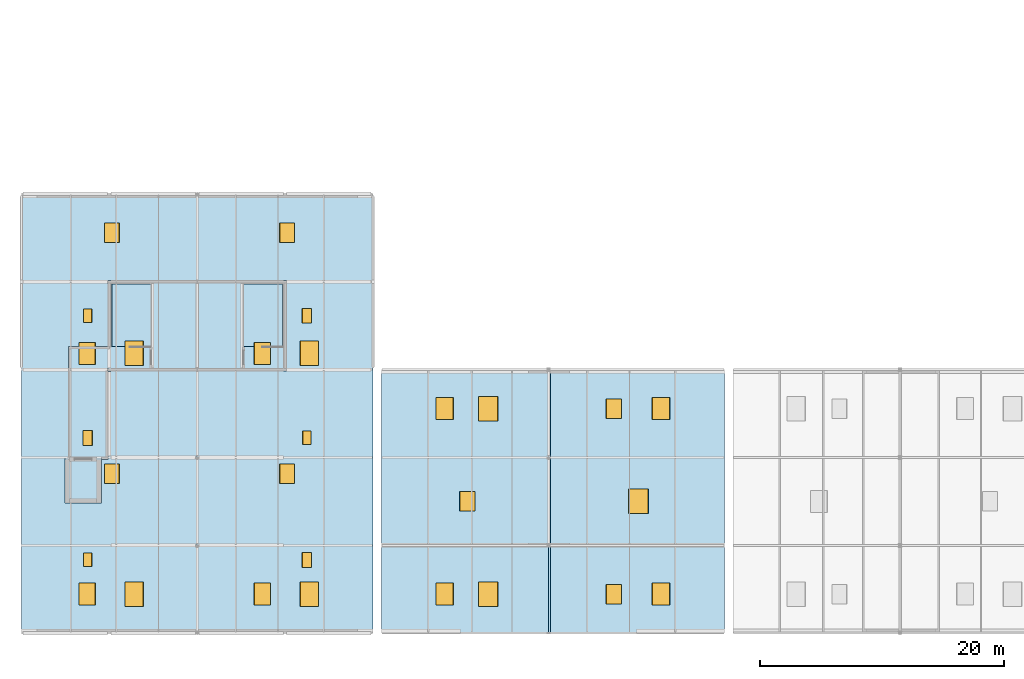
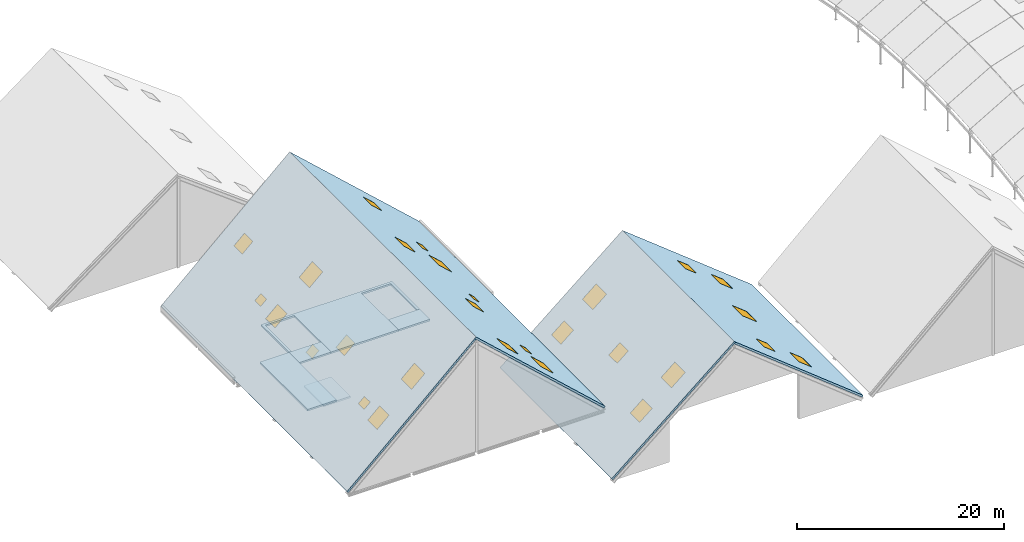
# One storey, part 20 of 35: 22 windows, 9 slabs, 6 doors, 28 openings.
"""IFC4 building model written with IfcOpenShell, lengths in metres."""

from ifc_helpers import new_model, si_unit, direction, frame, origin, origin_2d, place, context, subcontext, project, spatial, polyline, rectangle, outline, extrude, material, layer, layer_set, type_object, element, fill, save


model = new_model("IFC4")

# Units and contexts
model_context = context("Model", 3, precision=1e-05, world=origin(), true_north=direction((0.0, 1.0)))
body_context = subcontext(model_context, "Body", "Model", "MODEL_VIEW")
ifc_project = project(units=[si_unit("LENGTHUNIT", "METRE"), si_unit("AREAUNIT", "SQUARE_METRE"), si_unit("VOLUMEUNIT", "CUBIC_METRE"), si_unit("PLANEANGLEUNIT", "RADIAN"), si_unit("MASSUNIT", "GRAM", prefix="KILO")], contexts=[model_context])

# Site, building, storey
site_placement = place(None, origin())
site = spatial("IfcSite", under=ifc_project, at=site_placement, CompositionType="ELEMENT")
building_placement = place(site_placement, origin())
building = spatial("IfcBuilding", under=site, at=building_placement, Name="Zarrinpeak Specialist Clinic", CompositionType="ELEMENT")
storey_placement = place(building_placement, frame((0.0, 0.0, 31.60009765625)))
storey = spatial("IfcBuildingStorey", under=building, at=storey_placement, Name="RF", CompositionType="ELEMENT", Elevation=31.60009765625)

# Slabs
ifc_material_1 = material(Name="Concrete C35/45", Category="concrete")
ifc_layer_1 = layer(ifc_material_1, 0.199951171875)
ifc_layer_set_1 = layer_set([ifc_layer_1], Name="Concrete C35/45")
slab_type_1 = type_object("IfcSlabType", Name="SL-FLR200", PredefinedType="FLOOR", material=ifc_layer_set_1)
slab_1_placement = place(storey_placement, frame((0.0, 0.0, -0.2001953125)))
element("IfcSlab", 1, at=slab_1_placement, inside=storey, type_object=slab_type_1, Name="RF Attic Stair ST-13 Arrival Landing Floor Slab", PredefinedType="FLOOR", context=body_context, shape_type="SweptSolid", body=[
    extrude(outline(polyline([(7.10009765625, 21.5), (10.64990234375, 21.5), (10.64990234375, 23.5), (7.10009765625, 23.5), (7.10009765625, 21.5)])), origin(), (0.0, 0.0, 1.0), 0.2001953125),
])
slab_2_placement = place(storey_placement, frame((0.0, 0.0, -0.2001953125)))
element("IfcSlab", 2, at=slab_2_placement, inside=storey, type_object=slab_type_1, Name="RF Attic Stair ST-14 Arrival Landing Floor Slab", PredefinedType="FLOOR", context=body_context, shape_type="SweptSolid", body=[
    extrude(outline(polyline([(18.14990234375, 21.5), (21.699951171875, 21.5), (21.699951171875, 23.5), (18.14990234375, 23.5), (18.14990234375, 21.5)])), origin(), (0.0, 0.0, 1.0), 0.2001953125),
])
slab_3_placement = place(storey_placement, frame((0.0, 0.0, -0.2001953125)))
element("IfcSlab", 3, at=slab_3_placement, inside=storey, type_object=slab_type_1, Name="RF Firefighting Lift LF-FF1 Vestibule Floor Slab", PredefinedType="FLOOR", context=body_context, shape_type="SweptSolid", body=[
    extrude(outline(polyline([(3.85009765625, 14.25), (7.10009765625, 14.25), (7.10009765625, 23.5), (3.85009765625, 23.5), (3.85009765625, 14.25)])), origin(), (0.0, 0.0, 1.0), 0.2001953125),
])
slab_4_placement = place(storey_placement, frame((0.0, 0.0, -0.2001953125)))
element("IfcSlab", 4, at=slab_4_placement, inside=storey, type_object=slab_type_1, Name="RF V1 Enclosed Attic Maintenance Catwalk Floor Slab", PredefinedType="FLOOR", context=body_context, shape_type="SweptSolid", body=[
    extrude(outline(polyline([(10.64990234375, 21.5), (18.14990234375, 21.5), (18.14990234375, 28.60009765625), (21.39990234375, 28.60009765625), (21.39990234375, 23.5), (21.699951171875, 23.5), (21.699951171875, 28.89990234375), (7.10009765625, 28.89990234375), (7.10009765625, 23.5), (7.39990234375, 23.5), (7.39990234375, 28.60009765625), (10.64990234375, 28.60009765625), (10.64990234375, 21.5)])), origin(), (0.0, 0.0, 1.0), 0.2001953125),
])
slab_5_placement = place(storey_placement, frame((0.0, 0.0, 2.599853515625)))
element("IfcSlab", 5, at=slab_5_placement, inside=storey, type_object=slab_type_1, Name="RF Lift LF-FF1 Overrun Cap Slab", PredefinedType="FLOOR", context=body_context, shape_type="SweptSolid", body=[
    extrude(outline(polyline([(3.550048828125, 10.64990234375), (6.550048828125, 10.64990234375), (6.550048828125, 14.449951171875), (3.550048828125, 14.449951171875), (3.550048828125, 10.64990234375)])), origin(), (0.0, 0.0, 1.0), 0.199951171875),
])

# Slab, openings, doors, windows
ifc_layer_2 = layer(ifc_material_1, 0.219970703125)
ifc_layer_set_2 = layer_set([ifc_layer_2], Name="Concrete C35/45")
slab_type_2 = type_object("IfcSlabType", Name="SL-ROOF220", PredefinedType="ROOF", material=ifc_layer_set_2)
slab_6_placement = place(storey_placement, frame((0.0, 0.0, 0.29833984375), z_axis=(-0.675725760405, 0.0, 0.737153102636), x_axis=(0.737153102636, 0.0, 0.675725760405)))
slab_6 = element("IfcSlab", 6, at=slab_6_placement, inside=storey, type_object=slab_type_2, Name="V1 West Pitched Gable Roof Slab", PredefinedType="ROOF", context=body_context, shape_type="SweptSolid", body=[
    extrude(outline(polyline([(0.0, 0.0), (19.534479733267048, 0.0), (19.534479733267048, 36.0), (0.0, 36.0), (0.0, 0.0)])), origin(), (0.0, 0.0, -1.0), 0.219970703125),
])
opening_1_placement = place(slab_6_placement, frame((7.271240234375, 3.199951171875, 0.0)))
opening_1 = element("IfcOpeningElement", 7, at=opening_1_placement, cuts=slab_6, Name="Opening SK-03", PredefinedType="OPENING", context=body_context, shape_type="SweptSolid", body=[
    extrude(rectangle(XDim=1.800048828125, YDim=1.800048828125, at=origin_2d()), frame((0.0, 0.0, 0.010009765625), z_axis=(0.0, 0.0, 1.0), x_axis=(1.0, 0.0, 0.0)), (0.0, 0.0, -1.0), 0.239990234375),
])
opening_2_placement = place(slab_6_placement, frame((12.51318359375, 3.199951171875, 0.0)))
opening_2 = element("IfcOpeningElement", 8, at=opening_2_placement, cuts=slab_6, Name="Opening SK-02", PredefinedType="OPENING", context=body_context, shape_type="SweptSolid", body=[
    extrude(rectangle(XDim=2.0, YDim=2.0, at=origin_2d()), frame((0.0, 0.0, 0.010009765625), z_axis=(0.0, 0.0, 1.0), x_axis=(1.0, 0.0, 0.0)), (0.0, 0.0, -1.0), 0.239990234375),
])
opening_3_placement = place(slab_6_placement, frame((10.016845703125, 13.06689453125, 0.0)))
opening_3 = element("IfcOpeningElement", 9, at=opening_3_placement, cuts=slab_6, Name="Opening SK-01", PredefinedType="OPENING", context=body_context, shape_type="SweptSolid", body=[
    extrude(rectangle(XDim=1.60009765625, YDim=1.60009765625, at=origin_2d()), frame((0.0, 0.0, 0.010009765625), z_axis=(0.0, 0.0, 1.0), x_axis=(1.0, 0.0, 0.0)), (0.0, 0.0, -1.0), 0.239990234375),
])
opening_4_placement = place(slab_6_placement, frame((7.271240234375, 22.93310546875, 0.0)))
opening_4 = element("IfcOpeningElement", 10, at=opening_4_placement, cuts=slab_6, Name="Opening SK-03", PredefinedType="OPENING", context=body_context, shape_type="SweptSolid", body=[
    extrude(rectangle(XDim=1.800048828125, YDim=1.800048828125, at=origin_2d()), frame((0.0, 0.0, 0.010009765625), z_axis=(0.0, 0.0, 1.0), x_axis=(1.0, 0.0, 0.0)), (0.0, 0.0, -1.0), 0.239990234375),
])
opening_5_placement = place(slab_6_placement, frame((12.51318359375, 22.93310546875, 0.0)))
opening_5 = element("IfcOpeningElement", 11, at=opening_5_placement, cuts=slab_6, Name="Opening SK-02", PredefinedType="OPENING", context=body_context, shape_type="SweptSolid", body=[
    extrude(rectangle(XDim=2.0, YDim=2.0, at=origin_2d()), frame((0.0, 0.0, 0.010009765625), z_axis=(0.0, 0.0, 1.0), x_axis=(1.0, 0.0, 0.0)), (0.0, 0.0, -1.0), 0.239990234375),
])
opening_6_placement = place(slab_6_placement, frame((10.016845703125, 32.800048828125, 0.0)))
opening_6 = element("IfcOpeningElement", 12, at=opening_6_placement, cuts=slab_6, Name="Opening SK-01", PredefinedType="OPENING", context=body_context, shape_type="SweptSolid", body=[
    extrude(rectangle(XDim=1.60009765625, YDim=1.60009765625, at=origin_2d()), frame((0.0, 0.0, 0.010009765625), z_axis=(0.0, 0.0, 1.0), x_axis=(1.0, 0.0, 0.0)), (0.0, 0.0, -1.0), 0.239990234375),
])
opening_7_placement = place(slab_6_placement, frame((7.325439453125, 6.0, 0.0)))
opening_7 = element("IfcOpeningElement", 13, at=opening_7_placement, cuts=slab_6, Name="Opening HT-01", PredefinedType="OPENING", context=body_context, shape_type="SweptSolid", body=[
    extrude(rectangle(XDim=0.89990234375, YDim=1.10009765625, at=origin_2d()), frame((0.0, 0.0, 0.010009765625), z_axis=(0.0, 0.0, 1.0), x_axis=(1.0, 0.0, 0.0)), (0.0, 0.0, -1.0), 0.239990234375),
])
opening_8_placement = place(slab_6_placement, frame((7.325439453125, 16.0, 0.0)))
opening_8 = element("IfcOpeningElement", 14, at=opening_8_placement, cuts=slab_6, Name="Opening HT-02", PredefinedType="OPENING", context=body_context, shape_type="SweptSolid", body=[
    extrude(rectangle(XDim=1.0, YDim=1.199951171875, at=origin_2d()), frame((0.0, 0.0, 0.010009765625), z_axis=(0.0, 0.0, 1.0), x_axis=(1.0, 0.0, 0.0)), (0.0, 0.0, -1.0), 0.239990234375),
])
opening_9_placement = place(slab_6_placement, frame((7.325439453125, 26.0, 0.0)))
opening_9 = element("IfcOpeningElement", 15, at=opening_9_placement, cuts=slab_6, Name="Opening HT-01", PredefinedType="OPENING", context=body_context, shape_type="SweptSolid", body=[
    extrude(rectangle(XDim=0.89990234375, YDim=1.10009765625, at=origin_2d()), frame((0.0, 0.0, 0.010009765625), z_axis=(0.0, 0.0, 1.0), x_axis=(1.0, 0.0, 0.0)), (0.0, 0.0, -1.0), 0.239990234375),
])
ifc_material_2 = material(Name="Insulated Galvanised Steel", Category="steel")
door_type_1 = type_object("IfcDoorType", Name="DR-HT1000", OperationType="SWING_FIXED_LEFT", PredefinedType="TRAPDOOR", material=ifc_material_2)
door_1_placement = place(opening_8_placement, frame((0.0, 0.0, -0.0048828125)))
door_1 = element("IfcDoor", 16, at=door_1_placement, inside=storey, type_object=door_type_1, Name="V1 Roof Maintenance Access Hatch HT-RF-V1-02", OperationType="SINGLE_SWING_LEFT", OverallHeight=1.199951171875, OverallWidth=1.0, PredefinedType="TRAPDOOR", context=body_context, shape_type="SweptSolid", body=[
    extrude(rectangle(XDim=1.0, YDim=1.199951171875, at=origin_2d()), origin(), (0.0, 0.0, -1.0), 0.06005859375),
])
fill(opening_8, door_1)
door_type_2 = type_object("IfcDoorType", Name="DR-HT900", OperationType="SWING_FIXED_LEFT", PredefinedType="TRAPDOOR", material=ifc_material_2)
door_2_placement = place(opening_7_placement, frame((0.0, 0.0, -0.0048828125)))
door_2 = element("IfcDoor", 17, at=door_2_placement, inside=storey, type_object=door_type_2, Name="V1 Roof Maintenance Access Hatch HT-RF-V1-01", OperationType="SINGLE_SWING_LEFT", OverallHeight=1.10009765625, OverallWidth=0.89990234375, PredefinedType="TRAPDOOR", context=body_context, shape_type="SweptSolid", body=[
    extrude(rectangle(XDim=0.89990234375, YDim=1.10009765625, at=origin_2d()), origin(), (0.0, 0.0, -1.0), 0.06005859375),
])
fill(opening_7, door_2)
door_3_placement = place(opening_9_placement, frame((0.0, 0.0, -0.0048828125)))
door_3 = element("IfcDoor", 18, at=door_3_placement, inside=storey, type_object=door_type_2, Name="V1 Roof Maintenance Access Hatch HT-RF-V1-03", OperationType="SINGLE_SWING_LEFT", OverallHeight=1.10009765625, OverallWidth=0.89990234375, PredefinedType="TRAPDOOR", context=body_context, shape_type="SweptSolid", body=[
    extrude(rectangle(XDim=0.89990234375, YDim=1.10009765625, at=origin_2d()), origin(), (0.0, 0.0, -1.0), 0.06005859375),
])
fill(opening_9, door_3)
ifc_material_3 = material(Name="Thermally Broken Aluminium and Low-E Glazing", Category="aluminium")
window_type_1 = type_object("IfcWindowType", Name="WN-SKY160", PartitioningType="SINGLE_PANEL", PredefinedType="SKYLIGHT", material=ifc_material_3)
window_1_placement = place(opening_3_placement, frame((0.0, 0.0, -0.0048828125)))
window_1 = element("IfcWindow", 19, at=window_1_placement, inside=storey, type_object=window_type_1, Name="V1 Scattered Square Roof Skylight SKY-RF-003", OverallHeight=1.60009765625, OverallWidth=1.60009765625, PartitioningType="SINGLE_PANEL", PredefinedType="SKYLIGHT", context=body_context, shape_type="SweptSolid", body=[
    extrude(rectangle(XDim=1.60009765625, YDim=1.60009765625, at=origin_2d()), origin(), (0.0, 0.0, -1.0), 0.06005859375),
])
fill(opening_3, window_1)
window_2_placement = place(opening_6_placement, frame((0.0, 0.0, -0.0048828125)))
window_2 = element("IfcWindow", 20, at=window_2_placement, inside=storey, type_object=window_type_1, Name="V1 Scattered Square Roof Skylight SKY-RF-006", OverallHeight=1.60009765625, OverallWidth=1.60009765625, PartitioningType="SINGLE_PANEL", PredefinedType="SKYLIGHT", context=body_context, shape_type="SweptSolid", body=[
    extrude(rectangle(XDim=1.60009765625, YDim=1.60009765625, at=origin_2d()), origin(), (0.0, 0.0, -1.0), 0.06005859375),
])
fill(opening_6, window_2)
window_type_2 = type_object("IfcWindowType", Name="WN-SKY180", PartitioningType="SINGLE_PANEL", PredefinedType="SKYLIGHT", material=ifc_material_3)
window_3_placement = place(opening_1_placement, frame((0.0, 0.0, -0.0048828125)))
window_3 = element("IfcWindow", 21, at=window_3_placement, inside=storey, type_object=window_type_2, Name="V1 Scattered Square Roof Skylight SKY-RF-001", OverallHeight=1.800048828125, OverallWidth=1.800048828125, PartitioningType="SINGLE_PANEL", PredefinedType="SKYLIGHT", context=body_context, shape_type="SweptSolid", body=[
    extrude(rectangle(XDim=1.800048828125, YDim=1.800048828125, at=origin_2d()), origin(), (0.0, 0.0, -1.0), 0.06005859375),
])
fill(opening_1, window_3)
window_4_placement = place(opening_4_placement, frame((0.0, 0.0, -0.0048828125)))
window_4 = element("IfcWindow", 22, at=window_4_placement, inside=storey, type_object=window_type_2, Name="V1 Scattered Square Roof Skylight SKY-RF-004", OverallHeight=1.800048828125, OverallWidth=1.800048828125, PartitioningType="SINGLE_PANEL", PredefinedType="SKYLIGHT", context=body_context, shape_type="SweptSolid", body=[
    extrude(rectangle(XDim=1.800048828125, YDim=1.800048828125, at=origin_2d()), origin(), (0.0, 0.0, -1.0), 0.06005859375),
])
fill(opening_4, window_4)
window_type_3 = type_object("IfcWindowType", Name="WN-SKY200", PartitioningType="SINGLE_PANEL", PredefinedType="SKYLIGHT", material=ifc_material_3)
window_5_placement = place(opening_2_placement, frame((0.0, 0.0, -0.0048828125)))
window_5 = element("IfcWindow", 23, at=window_5_placement, inside=storey, type_object=window_type_3, Name="V1 Scattered Square Roof Skylight SKY-RF-002", OverallHeight=2.0, OverallWidth=2.0, PartitioningType="SINGLE_PANEL", PredefinedType="SKYLIGHT", context=body_context, shape_type="SweptSolid", body=[
    extrude(rectangle(XDim=2.0, YDim=2.0, at=origin_2d()), origin(), (0.0, 0.0, -1.0), 0.06005859375),
])
fill(opening_2, window_5)
window_6_placement = place(opening_5_placement, frame((0.0, 0.0, -0.0048828125)))
window_6 = element("IfcWindow", 24, at=window_6_placement, inside=storey, type_object=window_type_3, Name="V1 Scattered Square Roof Skylight SKY-RF-005", OverallHeight=2.0, OverallWidth=2.0, PartitioningType="SINGLE_PANEL", PredefinedType="SKYLIGHT", context=body_context, shape_type="SweptSolid", body=[
    extrude(rectangle(XDim=2.0, YDim=2.0, at=origin_2d()), origin(), (0.0, 0.0, -1.0), 0.06005859375),
])
fill(opening_5, window_6)

slab_7_placement = place(storey_placement, frame((14.39990234375, 0.0, 13.498291015625), z_axis=(0.675719535051, 0.0, 0.737158809179), x_axis=(0.737158809179, 0.0, -0.675719535051)))
slab_7 = element("IfcSlab", 25, at=slab_7_placement, inside=storey, type_object=slab_type_2, Name="V1 East Pitched Gable Roof Slab", PredefinedType="ROOF", context=body_context, shape_type="SweptSolid", body=[
    extrude(outline(polyline([(0.0, 0.0), (19.534659702982847, 0.0), (19.534659702982847, 36.0), (0.0, 36.0), (0.0, 0.0)])), origin(), (0.0, 0.0, -1.0), 0.219970703125),
])
opening_10_placement = place(slab_7_placement, frame((7.271240234375, 3.199951171875, 0.0)))
opening_10 = element("IfcOpeningElement", 26, at=opening_10_placement, cuts=slab_7, Name="Opening SK-03", PredefinedType="OPENING", context=body_context, shape_type="SweptSolid", body=[
    extrude(rectangle(XDim=1.800048828125, YDim=1.800048828125, at=origin_2d()), frame((0.0, 0.0, 0.010009765625), z_axis=(0.0, 0.0, 1.0), x_axis=(1.0, 0.0, 0.0)), (0.0, 0.0, -1.0), 0.239990234375),
])
opening_11_placement = place(slab_7_placement, frame((12.51318359375, 3.199951171875, 0.0)))
opening_11 = element("IfcOpeningElement", 27, at=opening_11_placement, cuts=slab_7, Name="Opening SK-02", PredefinedType="OPENING", context=body_context, shape_type="SweptSolid", body=[
    extrude(rectangle(XDim=2.0, YDim=2.0, at=origin_2d()), frame((0.0, 0.0, 0.010009765625), z_axis=(0.0, 0.0, 1.0), x_axis=(1.0, 0.0, 0.0)), (0.0, 0.0, -1.0), 0.239990234375),
])
opening_12_placement = place(slab_7_placement, frame((10.01708984375, 13.06689453125, 0.0)))
opening_12 = element("IfcOpeningElement", 28, at=opening_12_placement, cuts=slab_7, Name="Opening SK-01", PredefinedType="OPENING", context=body_context, shape_type="SweptSolid", body=[
    extrude(rectangle(XDim=1.60009765625, YDim=1.60009765625, at=origin_2d()), frame((0.0, 0.0, 0.010009765625), z_axis=(0.0, 0.0, 1.0), x_axis=(1.0, 0.0, 0.0)), (0.0, 0.0, -1.0), 0.239990234375),
])
opening_13_placement = place(slab_7_placement, frame((7.271240234375, 22.93310546875, 0.0)))
opening_13 = element("IfcOpeningElement", 29, at=opening_13_placement, cuts=slab_7, Name="Opening SK-03", PredefinedType="OPENING", context=body_context, shape_type="SweptSolid", body=[
    extrude(rectangle(XDim=1.800048828125, YDim=1.800048828125, at=origin_2d()), frame((0.0, 0.0, 0.010009765625), z_axis=(0.0, 0.0, 1.0), x_axis=(1.0, 0.0, 0.0)), (0.0, 0.0, -1.0), 0.239990234375),
])
opening_14_placement = place(slab_7_placement, frame((12.51318359375, 22.93310546875, 0.0)))
opening_14 = element("IfcOpeningElement", 30, at=opening_14_placement, cuts=slab_7, Name="Opening SK-02", PredefinedType="OPENING", context=body_context, shape_type="SweptSolid", body=[
    extrude(rectangle(XDim=2.0, YDim=2.0, at=origin_2d()), frame((0.0, 0.0, 0.010009765625), z_axis=(0.0, 0.0, 1.0), x_axis=(1.0, 0.0, 0.0)), (0.0, 0.0, -1.0), 0.239990234375),
])
opening_15_placement = place(slab_7_placement, frame((10.01708984375, 32.800048828125, 0.0)))
opening_15 = element("IfcOpeningElement", 31, at=opening_15_placement, cuts=slab_7, Name="Opening SK-01", PredefinedType="OPENING", context=body_context, shape_type="SweptSolid", body=[
    extrude(rectangle(XDim=1.60009765625, YDim=1.60009765625, at=origin_2d()), frame((0.0, 0.0, 0.010009765625), z_axis=(0.0, 0.0, 1.0), x_axis=(1.0, 0.0, 0.0)), (0.0, 0.0, -1.0), 0.239990234375),
])
opening_16_placement = place(slab_7_placement, frame((12.209228515625, 6.0, 0.0)))
opening_16 = element("IfcOpeningElement", 32, at=opening_16_placement, cuts=slab_7, Name="Opening HT-02", PredefinedType="OPENING", context=body_context, shape_type="SweptSolid", body=[
    extrude(rectangle(XDim=1.0, YDim=1.199951171875, at=origin_2d()), frame((0.0, 0.0, 0.010009765625), z_axis=(0.0, 0.0, 1.0), x_axis=(1.0, 0.0, 0.0)), (0.0, 0.0, -1.0), 0.239990234375),
])
opening_17_placement = place(slab_7_placement, frame((12.209228515625, 16.0, 0.0)))
opening_17 = element("IfcOpeningElement", 33, at=opening_17_placement, cuts=slab_7, Name="Opening HT-01", PredefinedType="OPENING", context=body_context, shape_type="SweptSolid", body=[
    extrude(rectangle(XDim=0.89990234375, YDim=1.10009765625, at=origin_2d()), frame((0.0, 0.0, 0.010009765625), z_axis=(0.0, 0.0, 1.0), x_axis=(1.0, 0.0, 0.0)), (0.0, 0.0, -1.0), 0.239990234375),
])
opening_18_placement = place(slab_7_placement, frame((12.209228515625, 26.0, 0.0)))
opening_18 = element("IfcOpeningElement", 34, at=opening_18_placement, cuts=slab_7, Name="Opening HT-02", PredefinedType="OPENING", context=body_context, shape_type="SweptSolid", body=[
    extrude(rectangle(XDim=1.0, YDim=1.199951171875, at=origin_2d()), frame((0.0, 0.0, 0.010009765625), z_axis=(0.0, 0.0, 1.0), x_axis=(1.0, 0.0, 0.0)), (0.0, 0.0, -1.0), 0.239990234375),
])
door_4_placement = place(opening_16_placement, frame((0.0, 0.0, -0.0048828125)))
door_4 = element("IfcDoor", 35, at=door_4_placement, inside=storey, type_object=door_type_1, Name="V1 Roof Maintenance Access Hatch HT-RF-V1-04", OperationType="SINGLE_SWING_LEFT", OverallHeight=1.199951171875, OverallWidth=1.0, PredefinedType="TRAPDOOR", context=body_context, shape_type="SweptSolid", body=[
    extrude(rectangle(XDim=1.0, YDim=1.199951171875, at=origin_2d()), origin(), (0.0, 0.0, -1.0), 0.06005859375),
])
fill(opening_16, door_4)
door_5_placement = place(opening_18_placement, frame((0.0, 0.0, -0.0048828125)))
door_5 = element("IfcDoor", 36, at=door_5_placement, inside=storey, type_object=door_type_1, Name="V1 Roof Maintenance Access Hatch HT-RF-V1-06", OperationType="SINGLE_SWING_LEFT", OverallHeight=1.199951171875, OverallWidth=1.0, PredefinedType="TRAPDOOR", context=body_context, shape_type="SweptSolid", body=[
    extrude(rectangle(XDim=1.0, YDim=1.199951171875, at=origin_2d()), origin(), (0.0, 0.0, -1.0), 0.06005859375),
])
fill(opening_18, door_5)
door_6_placement = place(opening_17_placement, frame((0.0, 0.0, -0.0048828125)))
door_6 = element("IfcDoor", 37, at=door_6_placement, inside=storey, type_object=door_type_2, Name="V1 Roof Maintenance Access Hatch HT-RF-V1-05", OperationType="SINGLE_SWING_LEFT", OverallHeight=1.10009765625, OverallWidth=0.89990234375, PredefinedType="TRAPDOOR", context=body_context, shape_type="SweptSolid", body=[
    extrude(rectangle(XDim=0.89990234375, YDim=1.10009765625, at=origin_2d()), origin(), (0.0, 0.0, -1.0), 0.06005859375),
])
fill(opening_17, door_6)
window_7_placement = place(opening_12_placement, frame((0.0, 0.0, -0.0048828125)))
window_7 = element("IfcWindow", 38, at=window_7_placement, inside=storey, type_object=window_type_1, Name="V1 Scattered Square Roof Skylight SKY-RF-009", OverallHeight=1.60009765625, OverallWidth=1.60009765625, PartitioningType="SINGLE_PANEL", PredefinedType="SKYLIGHT", context=body_context, shape_type="SweptSolid", body=[
    extrude(rectangle(XDim=1.60009765625, YDim=1.60009765625, at=origin_2d()), origin(), (0.0, 0.0, -1.0), 0.06005859375),
])
fill(opening_12, window_7)
window_8_placement = place(opening_15_placement, frame((0.0, 0.0, -0.0048828125)))
window_8 = element("IfcWindow", 39, at=window_8_placement, inside=storey, type_object=window_type_1, Name="V1 Scattered Square Roof Skylight SKY-RF-012", OverallHeight=1.60009765625, OverallWidth=1.60009765625, PartitioningType="SINGLE_PANEL", PredefinedType="SKYLIGHT", context=body_context, shape_type="SweptSolid", body=[
    extrude(rectangle(XDim=1.60009765625, YDim=1.60009765625, at=origin_2d()), origin(), (0.0, 0.0, -1.0), 0.06005859375),
])
fill(opening_15, window_8)
window_9_placement = place(opening_10_placement, frame((0.0, 0.0, -0.0048828125)))
window_9 = element("IfcWindow", 40, at=window_9_placement, inside=storey, type_object=window_type_2, Name="V1 Scattered Square Roof Skylight SKY-RF-007", OverallHeight=1.800048828125, OverallWidth=1.800048828125, PartitioningType="SINGLE_PANEL", PredefinedType="SKYLIGHT", context=body_context, shape_type="SweptSolid", body=[
    extrude(rectangle(XDim=1.800048828125, YDim=1.800048828125, at=origin_2d()), origin(), (0.0, 0.0, -1.0), 0.06005859375),
])
fill(opening_10, window_9)
window_10_placement = place(opening_13_placement, frame((0.0, 0.0, -0.0048828125)))
window_10 = element("IfcWindow", 41, at=window_10_placement, inside=storey, type_object=window_type_2, Name="V1 Scattered Square Roof Skylight SKY-RF-010", OverallHeight=1.800048828125, OverallWidth=1.800048828125, PartitioningType="SINGLE_PANEL", PredefinedType="SKYLIGHT", context=body_context, shape_type="SweptSolid", body=[
    extrude(rectangle(XDim=1.800048828125, YDim=1.800048828125, at=origin_2d()), origin(), (0.0, 0.0, -1.0), 0.06005859375),
])
fill(opening_13, window_10)
window_11_placement = place(opening_11_placement, frame((0.0, 0.0, -0.0048828125)))
window_11 = element("IfcWindow", 42, at=window_11_placement, inside=storey, type_object=window_type_3, Name="V1 Scattered Square Roof Skylight SKY-RF-008", OverallHeight=2.0, OverallWidth=2.0, PartitioningType="SINGLE_PANEL", PredefinedType="SKYLIGHT", context=body_context, shape_type="SweptSolid", body=[
    extrude(rectangle(XDim=2.0, YDim=2.0, at=origin_2d()), origin(), (0.0, 0.0, -1.0), 0.06005859375),
])
fill(opening_11, window_11)
window_12_placement = place(opening_14_placement, frame((0.0, 0.0, -0.0048828125)))
window_12 = element("IfcWindow", 43, at=window_12_placement, inside=storey, type_object=window_type_3, Name="V1 Scattered Square Roof Skylight SKY-RF-011", OverallHeight=2.0, OverallWidth=2.0, PartitioningType="SINGLE_PANEL", PredefinedType="SKYLIGHT", context=body_context, shape_type="SweptSolid", body=[
    extrude(rectangle(XDim=2.0, YDim=2.0, at=origin_2d()), origin(), (0.0, 0.0, -1.0), 0.06005859375),
])
fill(opening_14, window_12)

# Slab, openings, windows
slab_8_placement = place(storey_placement, frame((29.52001953125, 0.0, -8.5166015625), z_axis=(-0.640183051121, 0.0, 0.768222403381), x_axis=(0.768222403381, 0.0, 0.640183051121)))
slab_8 = element("IfcSlab", 44, at=slab_8_placement, inside=storey, type_object=slab_type_2, Name="V2 West Pitched Gable Roof Slab", PredefinedType="ROOF", context=body_context, shape_type="SweptSolid", body=[
    extrude(outline(polyline([(0.0, 0.0), (17.807254227960293, 0.0), (17.807254227960293, 21.60009765625), (0.0, 21.60009765625), (0.0, 0.0)])), origin(), (0.0, 0.0, -1.0), 0.219970703125),
])
opening_19_placement = place(slab_8_placement, frame((6.696044921875, 3.199951171875, 0.0)))
opening_19 = element("IfcOpeningElement", 45, at=opening_19_placement, cuts=slab_8, Name="Opening SK-03", PredefinedType="OPENING", context=body_context, shape_type="SweptSolid", body=[
    extrude(rectangle(XDim=1.800048828125, YDim=1.800048828125, at=origin_2d()), frame((0.0, 0.0, 0.010009765625), z_axis=(0.0, 0.0, 1.0), x_axis=(1.0, 0.0, 0.0)), (0.0, 0.0, -1.0), 0.239990234375),
])
opening_20_placement = place(slab_8_placement, frame((11.33251953125, 3.199951171875, 0.0)))
opening_20 = element("IfcOpeningElement", 46, at=opening_20_placement, cuts=slab_8, Name="Opening SK-02", PredefinedType="OPENING", context=body_context, shape_type="SweptSolid", body=[
    extrude(rectangle(XDim=2.0, YDim=2.0, at=origin_2d()), frame((0.0, 0.0, 0.010009765625), z_axis=(0.0, 0.0, 1.0), x_axis=(1.0, 0.0, 0.0)), (0.0, 0.0, -1.0), 0.239990234375),
])
opening_21_placement = place(slab_8_placement, frame((9.125, 10.800048828125, 0.0)))
opening_21 = element("IfcOpeningElement", 47, at=opening_21_placement, cuts=slab_8, Name="Opening SK-01", PredefinedType="OPENING", context=body_context, shape_type="SweptSolid", body=[
    extrude(rectangle(XDim=1.60009765625, YDim=1.60009765625, at=origin_2d()), frame((0.0, 0.0, 0.010009765625), z_axis=(0.0, 0.0, 1.0), x_axis=(1.0, 0.0, 0.0)), (0.0, 0.0, -1.0), 0.239990234375),
])
opening_22_placement = place(slab_8_placement, frame((6.696044921875, 18.39990234375, 0.0)))
opening_22 = element("IfcOpeningElement", 48, at=opening_22_placement, cuts=slab_8, Name="Opening SK-03", PredefinedType="OPENING", context=body_context, shape_type="SweptSolid", body=[
    extrude(rectangle(XDim=1.800048828125, YDim=1.800048828125, at=origin_2d()), frame((0.0, 0.0, 0.010009765625), z_axis=(0.0, 0.0, 1.0), x_axis=(1.0, 0.0, 0.0)), (0.0, 0.0, -1.0), 0.239990234375),
])
opening_23_placement = place(slab_8_placement, frame((11.33251953125, 18.39990234375, 0.0)))
opening_23 = element("IfcOpeningElement", 49, at=opening_23_placement, cuts=slab_8, Name="Opening SK-02", PredefinedType="OPENING", context=body_context, shape_type="SweptSolid", body=[
    extrude(rectangle(XDim=2.0, YDim=2.0, at=origin_2d()), frame((0.0, 0.0, 0.010009765625), z_axis=(0.0, 0.0, 1.0), x_axis=(1.0, 0.0, 0.0)), (0.0, 0.0, -1.0), 0.239990234375),
])
window_13_placement = place(opening_21_placement, frame((0.0, 0.0, -0.0048828125)))
window_13 = element("IfcWindow", 50, at=window_13_placement, inside=storey, type_object=window_type_1, Name="V2 Scattered Square Roof Skylight SKY-RF-015", OverallHeight=1.60009765625, OverallWidth=1.60009765625, PartitioningType="SINGLE_PANEL", PredefinedType="SKYLIGHT", context=body_context, shape_type="SweptSolid", body=[
    extrude(rectangle(XDim=1.60009765625, YDim=1.60009765625, at=origin_2d()), origin(), (0.0, 0.0, -1.0), 0.06005859375),
])
fill(opening_21, window_13)
window_14_placement = place(opening_19_placement, frame((0.0, 0.0, -0.0048828125)))
window_14 = element("IfcWindow", 51, at=window_14_placement, inside=storey, type_object=window_type_2, Name="V2 Scattered Square Roof Skylight SKY-RF-013", OverallHeight=1.800048828125, OverallWidth=1.800048828125, PartitioningType="SINGLE_PANEL", PredefinedType="SKYLIGHT", context=body_context, shape_type="SweptSolid", body=[
    extrude(rectangle(XDim=1.800048828125, YDim=1.800048828125, at=origin_2d()), origin(), (0.0, 0.0, -1.0), 0.06005859375),
])
fill(opening_19, window_14)
window_15_placement = place(opening_22_placement, frame((0.0, 0.0, -0.0048828125)))
window_15 = element("IfcWindow", 52, at=window_15_placement, inside=storey, type_object=window_type_2, Name="V2 Scattered Square Roof Skylight SKY-RF-016", OverallHeight=1.800048828125, OverallWidth=1.800048828125, PartitioningType="SINGLE_PANEL", PredefinedType="SKYLIGHT", context=body_context, shape_type="SweptSolid", body=[
    extrude(rectangle(XDim=1.800048828125, YDim=1.800048828125, at=origin_2d()), origin(), (0.0, 0.0, -1.0), 0.06005859375),
])
fill(opening_22, window_15)
window_16_placement = place(opening_20_placement, frame((0.0, 0.0, -0.0048828125)))
window_16 = element("IfcWindow", 53, at=window_16_placement, inside=storey, type_object=window_type_3, Name="V2 Scattered Square Roof Skylight SKY-RF-014", OverallHeight=2.0, OverallWidth=2.0, PartitioningType="SINGLE_PANEL", PredefinedType="SKYLIGHT", context=body_context, shape_type="SweptSolid", body=[
    extrude(rectangle(XDim=2.0, YDim=2.0, at=origin_2d()), origin(), (0.0, 0.0, -1.0), 0.06005859375),
])
fill(opening_20, window_16)
window_17_placement = place(opening_23_placement, frame((0.0, 0.0, -0.0048828125)))
window_17 = element("IfcWindow", 54, at=window_17_placement, inside=storey, type_object=window_type_3, Name="V2 Scattered Square Roof Skylight SKY-RF-017", OverallHeight=2.0, OverallWidth=2.0, PartitioningType="SINGLE_PANEL", PredefinedType="SKYLIGHT", context=body_context, shape_type="SweptSolid", body=[
    extrude(rectangle(XDim=2.0, YDim=2.0, at=origin_2d()), origin(), (0.0, 0.0, -1.0), 0.06005859375),
])
fill(opening_23, window_17)

slab_9_placement = place(storey_placement, frame((43.199951171875, 0.0, 2.88330078125), z_axis=(0.620695794296, 0.0, 0.78405148488), x_axis=(0.78405148488, 0.0, -0.620695794296)))
slab_9 = element("IfcSlab", 55, at=slab_9_placement, inside=storey, type_object=slab_type_2, Name="V2 East Pitched Gable Roof Slab", PredefinedType="ROOF", context=body_context, shape_type="SweptSolid", body=[
    extrude(outline(polyline([(0.0, 0.0), (18.366327673721123, 0.0), (18.366327673721123, 21.60009765625), (0.0, 21.60009765625), (0.0, 0.0)])), origin(), (0.0, 0.0, -1.0), 0.219970703125),
])
opening_24_placement = place(slab_9_placement, frame((6.83642578125, 3.199951171875, 0.0)))
opening_24 = element("IfcOpeningElement", 56, at=opening_24_placement, cuts=slab_9, Name="Opening SK-01", PredefinedType="OPENING", context=body_context, shape_type="SweptSolid", body=[
    extrude(rectangle(XDim=1.60009765625, YDim=1.60009765625, at=origin_2d()), frame((0.0, 0.0, 0.010009765625), z_axis=(0.0, 0.0, 1.0), x_axis=(1.0, 0.0, 0.0)), (0.0, 0.0, -1.0), 0.239990234375),
])
opening_25_placement = place(slab_9_placement, frame((11.7646484375, 3.199951171875, 0.0)))
opening_25 = element("IfcOpeningElement", 57, at=opening_25_placement, cuts=slab_9, Name="Opening SK-03", PredefinedType="OPENING", context=body_context, shape_type="SweptSolid", body=[
    extrude(rectangle(XDim=1.800048828125, YDim=1.800048828125, at=origin_2d()), frame((0.0, 0.0, 0.010009765625), z_axis=(0.0, 0.0, 1.0), x_axis=(1.0, 0.0, 0.0)), (0.0, 0.0, -1.0), 0.239990234375),
])
opening_26_placement = place(slab_9_placement, frame((9.41796875, 10.800048828125, 0.0)))
opening_26 = element("IfcOpeningElement", 58, at=opening_26_placement, cuts=slab_9, Name="Opening SK-02", PredefinedType="OPENING", context=body_context, shape_type="SweptSolid", body=[
    extrude(rectangle(XDim=2.0, YDim=2.0, at=origin_2d()), frame((0.0, 0.0, 0.010009765625), z_axis=(0.0, 0.0, 1.0), x_axis=(1.0, 0.0, 0.0)), (0.0, 0.0, -1.0), 0.239990234375),
])
opening_27_placement = place(slab_9_placement, frame((6.83642578125, 18.39990234375, 0.0)))
opening_27 = element("IfcOpeningElement", 59, at=opening_27_placement, cuts=slab_9, Name="Opening SK-01", PredefinedType="OPENING", context=body_context, shape_type="SweptSolid", body=[
    extrude(rectangle(XDim=1.60009765625, YDim=1.60009765625, at=origin_2d()), frame((0.0, 0.0, 0.010009765625), z_axis=(0.0, 0.0, 1.0), x_axis=(1.0, 0.0, 0.0)), (0.0, 0.0, -1.0), 0.239990234375),
])
opening_28_placement = place(slab_9_placement, frame((11.7646484375, 18.39990234375, 0.0)))
opening_28 = element("IfcOpeningElement", 60, at=opening_28_placement, cuts=slab_9, Name="Opening SK-03", PredefinedType="OPENING", context=body_context, shape_type="SweptSolid", body=[
    extrude(rectangle(XDim=1.800048828125, YDim=1.800048828125, at=origin_2d()), frame((0.0, 0.0, 0.010009765625), z_axis=(0.0, 0.0, 1.0), x_axis=(1.0, 0.0, 0.0)), (0.0, 0.0, -1.0), 0.239990234375),
])
window_18_placement = place(opening_24_placement, frame((0.0, 0.0, -0.0048828125)))
window_18 = element("IfcWindow", 61, at=window_18_placement, inside=storey, type_object=window_type_1, Name="V2 Scattered Square Roof Skylight SKY-RF-018", OverallHeight=1.60009765625, OverallWidth=1.60009765625, PartitioningType="SINGLE_PANEL", PredefinedType="SKYLIGHT", context=body_context, shape_type="SweptSolid", body=[
    extrude(rectangle(XDim=1.60009765625, YDim=1.60009765625, at=origin_2d()), origin(), (0.0, 0.0, -1.0), 0.06005859375),
])
fill(opening_24, window_18)
window_19_placement = place(opening_27_placement, frame((0.0, 0.0, -0.0048828125)))
window_19 = element("IfcWindow", 62, at=window_19_placement, inside=storey, type_object=window_type_1, Name="V2 Scattered Square Roof Skylight SKY-RF-021", OverallHeight=1.60009765625, OverallWidth=1.60009765625, PartitioningType="SINGLE_PANEL", PredefinedType="SKYLIGHT", context=body_context, shape_type="SweptSolid", body=[
    extrude(rectangle(XDim=1.60009765625, YDim=1.60009765625, at=origin_2d()), origin(), (0.0, 0.0, -1.0), 0.06005859375),
])
fill(opening_27, window_19)
window_20_placement = place(opening_25_placement, frame((0.0, 0.0, -0.0048828125)))
window_20 = element("IfcWindow", 63, at=window_20_placement, inside=storey, type_object=window_type_2, Name="V2 Scattered Square Roof Skylight SKY-RF-019", OverallHeight=1.800048828125, OverallWidth=1.800048828125, PartitioningType="SINGLE_PANEL", PredefinedType="SKYLIGHT", context=body_context, shape_type="SweptSolid", body=[
    extrude(rectangle(XDim=1.800048828125, YDim=1.800048828125, at=origin_2d()), origin(), (0.0, 0.0, -1.0), 0.06005859375),
])
fill(opening_25, window_20)
window_21_placement = place(opening_28_placement, frame((0.0, 0.0, -0.0048828125)))
window_21 = element("IfcWindow", 64, at=window_21_placement, inside=storey, type_object=window_type_2, Name="V2 Scattered Square Roof Skylight SKY-RF-022", OverallHeight=1.800048828125, OverallWidth=1.800048828125, PartitioningType="SINGLE_PANEL", PredefinedType="SKYLIGHT", context=body_context, shape_type="SweptSolid", body=[
    extrude(rectangle(XDim=1.800048828125, YDim=1.800048828125, at=origin_2d()), origin(), (0.0, 0.0, -1.0), 0.06005859375),
])
fill(opening_28, window_21)
window_22_placement = place(opening_26_placement, frame((0.0, 0.0, -0.0048828125)))
window_22 = element("IfcWindow", 65, at=window_22_placement, inside=storey, type_object=window_type_3, Name="V2 Scattered Square Roof Skylight SKY-RF-020", OverallHeight=2.0, OverallWidth=2.0, PartitioningType="SINGLE_PANEL", PredefinedType="SKYLIGHT", context=body_context, shape_type="SweptSolid", body=[
    extrude(rectangle(XDim=2.0, YDim=2.0, at=origin_2d()), origin(), (0.0, 0.0, -1.0), 0.06005859375),
])
fill(opening_26, window_22)

save(model, "model.ifc")
